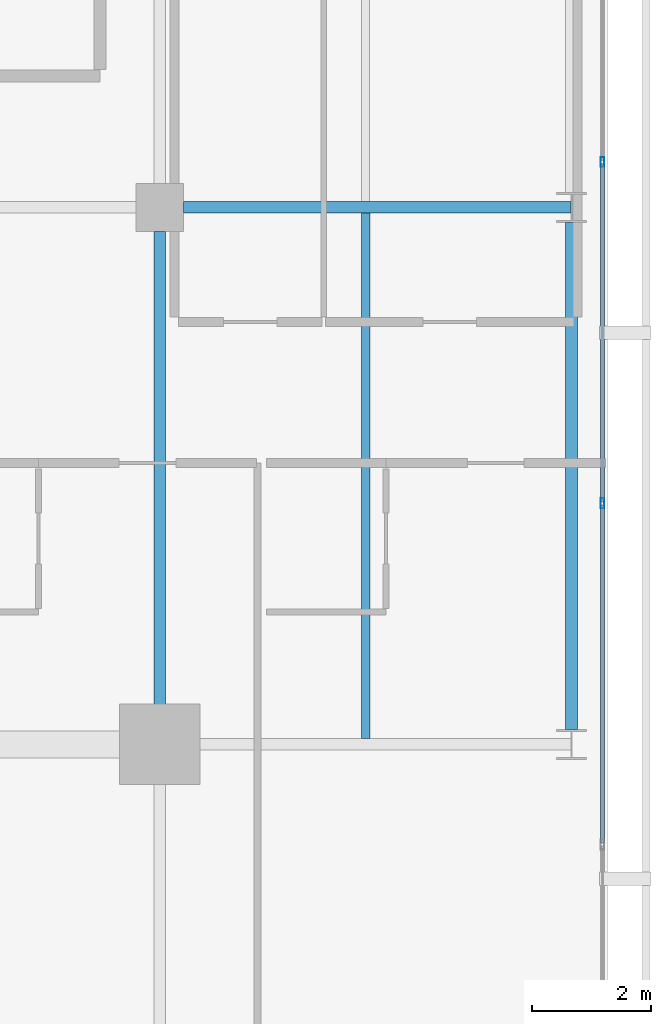
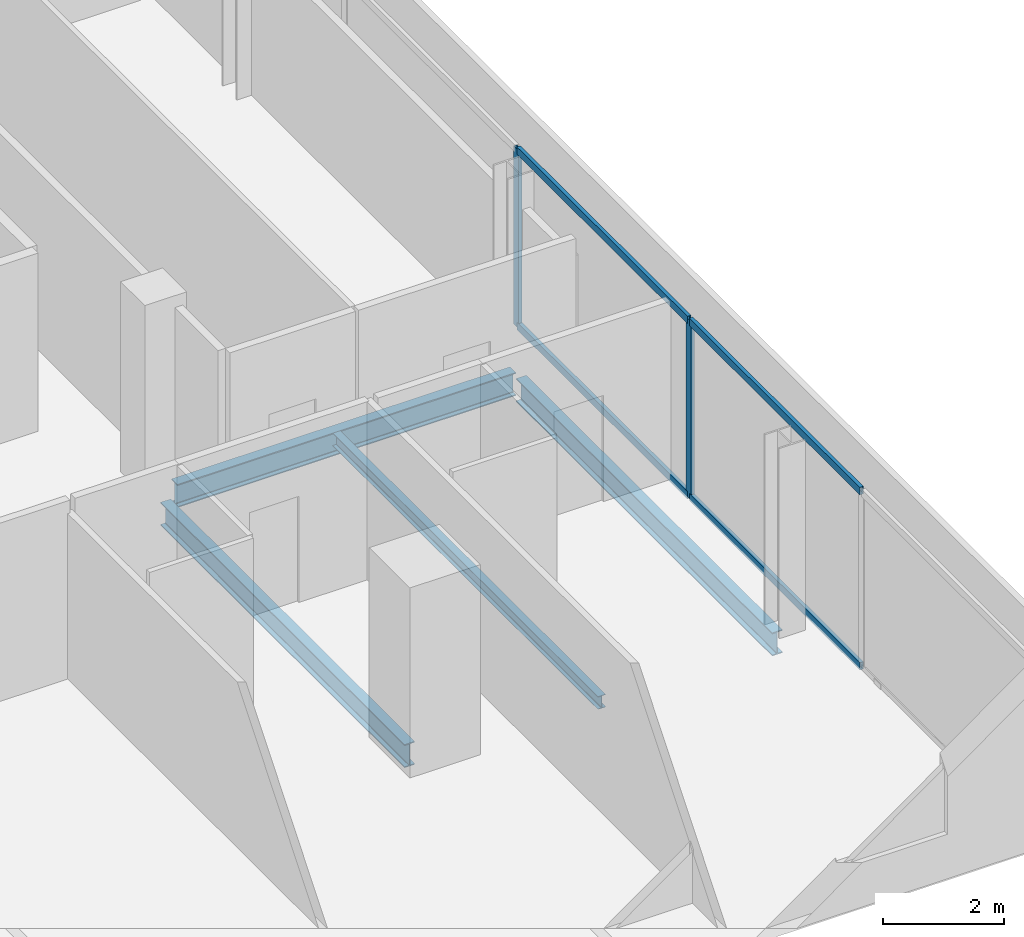
# One storey, part 12 of 24: 6 members, 4 beams, 1 element without a shape of its own.
"""IFC4 building model written with IfcOpenShell, lengths in metres."""

import ifcopenshell
import ifcopenshell.guid

model = None  # the IFC model being written
_history = None  # IfcOwnerHistory: only IFC2X3 demands one
_inside = {}  # id of a spatial element -> (the spatial element, [elements in it])
_under = {}  # id of a project, library or spatial element -> (it, [spatial elements below it])
_declared = {}  # id of a project -> (the project, [libraries it declares])
_typed = {}  # id of a type object -> (the type object, [elements of that type])
_made_of = {}  # id of a material, layer set ... -> (it, [elements and type objects made of it])


def new_model(schema):
    """Start an empty IFC model of exactly this schema.

    Asked for "IFC4X3", IfcOpenShell would pick the latest addendum, in which some entities
    have other attributes; the version numbers below select the first issue.
    IFC2X3 requires an IfcOwnerHistory on every rooted entity: one is made here for all.
    """
    global model, _history
    if schema == "IFC4X3":
        model = ifcopenshell.file(schema_version=(4, 3, 0, 0))
    else:
        model = ifcopenshell.file(schema=schema)
    _inside.clear()
    _under.clear()
    _declared.clear()
    _typed.clear()
    _made_of.clear()
    _history = None
    if model.schema == "IFC2X3":
        org = make("IfcOrganization", Name="unknown")
        user = make(
            "IfcPersonAndOrganization",
            ThePerson=make("IfcPerson", FamilyName="unknown"),
            TheOrganization=org,
        )
        app = make(
            "IfcApplication",
            ApplicationDeveloper=org,
            Version="unknown",
            ApplicationFullName="unknown",
            ApplicationIdentifier="unknown",
        )
        _history = make(
            "IfcOwnerHistory",
            OwningUser=user,
            OwningApplication=app,
            ChangeAction="ADDED",
            CreationDate=0,
        )
    return model


def make(cls, **values):
    """One entity of the class cls with the attributes given. An attribute that is None is left unset."""
    return model.create_entity(
        cls, **{name: value for name, value in values.items() if value is not None}
    )


def rooted(cls, **values):
    """An entity with a GlobalId (a new one), such as an element, a storey or a relation."""
    return make(cls, GlobalId=ifcopenshell.guid.new(), OwnerHistory=_history, **values)


def si_unit(unit_type, name, prefix=None):
    """IfcSIUnit, for example si_unit("LENGTHUNIT", "METRE", prefix="MILLI")."""
    return make("IfcSIUnit", UnitType=unit_type, Prefix=prefix, Name=name)


def assignment(units):
    """IfcUnitAssignment: the units of a project."""
    return None if units is None else make("IfcUnitAssignment", Units=units)


def point(xyz):
    """IfcCartesianPoint."""
    return None if xyz is None else make("IfcCartesianPoint", Coordinates=xyz)


def direction(xyz):
    """IfcDirection."""
    return None if xyz is None else make("IfcDirection", DirectionRatios=xyz)


def frame(location, z_axis=None, x_axis=None):
    """IfcAxis2Placement3D, a coordinate frame: its origin and axes. An axis left out is left unset."""
    return make(
        "IfcAxis2Placement3D",
        Location=point(location),
        Axis=direction(z_axis),
        RefDirection=direction(x_axis),
    )


def frame_2d(location, x_axis=None):
    """IfcAxis2Placement2D, a coordinate frame in the plane: its origin and x axis."""
    return make(
        "IfcAxis2Placement2D", Location=point(location), RefDirection=direction(x_axis)
    )


def origin():
    """The frame at (0, 0, 0) with its axes left unset."""
    return frame((0.0, 0.0, 0.0))


def origin_2d():
    """The frame at (0, 0) in the plane with its x axis left unset."""
    return frame_2d((0.0, 0.0))


def place(relative_to, where):
    """IfcLocalPlacement: puts the frame where relative to a parent placement (None: the world)."""
    return make(
        "IfcLocalPlacement", PlacementRelTo=relative_to, RelativePlacement=where
    )


def context(
    kind, dimensions, precision=None, world=None, true_north=None, identifier=None
):
    """IfcGeometricRepresentationContext, for example the 3D "Model" context."""
    return make(
        "IfcGeometricRepresentationContext",
        ContextIdentifier=identifier,
        ContextType=kind,
        CoordinateSpaceDimension=dimensions,
        Precision=precision,
        WorldCoordinateSystem=world,
        TrueNorth=true_north,
    )


def subcontext(parent, identifier, kind, view, scale=None):
    """IfcGeometricRepresentationSubContext, for example "Body" below "Model"."""
    return make(
        "IfcGeometricRepresentationSubContext",
        ContextIdentifier=identifier,
        ContextType=kind,
        ParentContext=parent,
        TargetScale=scale,
        TargetView=view,
    )


def project(units=None, contexts=None):
    """IfcProject with its units and contexts."""
    return rooted(
        "IfcProject",
        Name="project",
        RepresentationContexts=contexts,
        UnitsInContext=assignment(units),
    )


def spatial(cls, under=None, at=None, **own):
    """A site, building, storey or space (cls), placed at a placement, below another one or the project."""
    s = rooted(cls, ObjectPlacement=at, **own)
    if under is not None:
        _under.setdefault(under.id(), (under, []))[1].append(s)
    return s


def profile(cls, at=None, kind="AREA", **sizes):
    """A parametric profile (cls). Its sizes go by their IFC names, for example OverallWidth=200.0."""
    return make(cls, ProfileType=kind, Position=at, **sizes)


def hollow_rectangle(**sizes):
    """IfcRectangleHollowProfileDef."""
    return profile("IfcRectangleHollowProfileDef", **sizes)


def i_section(**sizes):
    """IfcIShapeProfileDef."""
    return profile("IfcIShapeProfileDef", **sizes)


def extrude(swept, where, along, depth):
    """IfcExtrudedAreaSolid: the profile swept, set in the frame where, extruded along a direction by depth."""
    return make(
        "IfcExtrudedAreaSolid",
        SweptArea=swept,
        Position=where,
        ExtrudedDirection=direction(along),
        Depth=depth,
    )


def shape(context_of_items, identifier, shape_type, items):
    """IfcShapeRepresentation: the items that make up one representation, for example the "Body"."""
    return make(
        "IfcShapeRepresentation",
        ContextOfItems=context_of_items,
        RepresentationIdentifier=identifier,
        RepresentationType=shape_type,
        Items=items,
    )


def material(Name=None, Category=None):
    """IfcMaterial."""
    return make("IfcMaterial", Name=Name, Category=Category)


def layer(
    of_material, thickness, ventilated=None, Name=None, Category=None, Priority=None
):
    """IfcMaterialLayer: one layer of a wall or slab, of a material (None: an air gap)."""
    return make(
        "IfcMaterialLayer",
        Material=of_material,
        LayerThickness=thickness,
        IsVentilated=ventilated,
        Name=Name,
        Category=Category,
        Priority=Priority,
    )


def layer_set(layers, Name=None):
    """IfcMaterialLayerSet."""
    return make("IfcMaterialLayerSet", MaterialLayers=layers, LayerSetName=Name)


def material_profile(
    of_material, cross_section, Name=None, Category=None, Priority=None
):
    """IfcMaterialProfile: a cross section and its material."""
    return make(
        "IfcMaterialProfile",
        Name=Name,
        Material=of_material,
        Profile=cross_section,
        Priority=Priority,
        Category=Category,
    )


def profile_set(profiles, Name=None, composite=None):
    """IfcMaterialProfileSet."""
    return make(
        "IfcMaterialProfileSet",
        Name=Name,
        MaterialProfiles=profiles,
        CompositeProfile=composite,
    )


def made_of(thing, what):
    """Note that an element or type object is made of a material, layer set ...; save() writes the relation."""
    if what is not None:
        _made_of.setdefault(what.id(), (what, []))[1].append(thing)
    return thing


def type_object(cls, material=None, **own):
    """A type object (cls), such as IfcWallType, which elements share."""
    return made_of(rooted(cls, **own), material)


def element(
    cls,
    number,
    at=None,
    inside=None,
    cuts=None,
    type_object=None,
    material=None,
    context=None,
    identifier="Body",
    shape_type=None,
    held_by="IfcProductDefinitionShape",
    body=None,
    shapes=None,
    **own,
):
    """One element of the class cls, such as IfcWall. Its Tag is "e" and its number.

    at: its placement. inside: the storey or other place that contains it. cuts: it is an
    opening in that element (IfcRelVoidsElement). A single representation is given by context,
    identifier, shape_type and body (its items); several are given by shapes. held_by: the class
    of the entity that holds the representations. save() writes the other relations.
    """
    e = rooted(cls, Tag="e%d" % number, ObjectPlacement=at, **own)
    if body is not None:
        shapes = [shape(context, identifier, shape_type, body)]
    if shapes is not None:
        e.Representation = make(held_by, Representations=shapes)
    if inside is not None:
        _inside.setdefault(inside.id(), (inside, []))[1].append(e)
    if cuts is not None:
        rooted(
            "IfcRelVoidsElement", RelatingBuildingElement=cuts, RelatedOpeningElement=e
        )
    if type_object is not None:
        _typed.setdefault(type_object.id(), (type_object, []))[1].append(e)
    return made_of(e, material)


def aggregate(whole, parts):
    """IfcRelAggregates: a whole, such as a stair, and the parts it consists of."""
    return rooted("IfcRelAggregates", RelatingObject=whole, RelatedObjects=parts)


def save(model, path):
    """Write the relations noted so far, then the file.

    IfcRelAggregates (storeys below a building ...), IfcRelContainedInSpatialStructure (elements
    in a storey), IfcRelDefinesByType, IfcRelAssociatesMaterial and IfcRelDeclares: one each for
    every whole, place, type object, material and project.
    """
    for whole, parts in _under.values():
        aggregate(whole, parts)
    for where, things in _inside.values():
        rooted(
            "IfcRelContainedInSpatialStructure",
            RelatedElements=things,
            RelatingStructure=where,
        )
    for kind, things in _typed.values():
        rooted("IfcRelDefinesByType", RelatedObjects=things, RelatingType=kind)
    for what, things in _made_of.values():
        rooted("IfcRelAssociatesMaterial", RelatedObjects=things, RelatingMaterial=what)
    for by, libraries in _declared.values():
        rooted("IfcRelDeclares", RelatingContext=by, RelatedDefinitions=libraries)
    model.write(path)


model = new_model("IFC4")

# Units and contexts
model_context = context("Model", 3, precision=1e-05, world=origin(), true_north=direction((0.0, 1.0)))
body_context = subcontext(model_context, "Body", "Model", "MODEL_VIEW")
ifc_project = project(units=[si_unit("LENGTHUNIT", "METRE"), si_unit("AREAUNIT", "SQUARE_METRE"), si_unit("VOLUMEUNIT", "CUBIC_METRE"), si_unit("PLANEANGLEUNIT", "RADIAN"), si_unit("MASSUNIT", "GRAM", prefix="KILO")], contexts=[model_context])

# Site, building, storey
site_placement = place(None, origin())
site = spatial("IfcSite", under=ifc_project, at=site_placement, CompositionType="ELEMENT")
building_placement = place(site_placement, origin())
building = spatial("IfcBuilding", under=site, at=building_placement, Name="Maruvema Waterfront Hotel and Observation Tower", CompositionType="ELEMENT")
storey_placement = place(building_placement, frame((0.0, 0.0, 329.699951171875)))
storey = spatial("IfcBuildingStorey", under=building, at=storey_placement, Name="L81", CompositionType="ELEMENT", Elevation=329.699951171875)

# Curtain wall, members
ifc_material_1 = material(Name="Anodised bronze aluminium and solar-control low-E IGU", Category="aluminium")
ifc_layer = layer(ifc_material_1, 0.159912109375, Name="Zone 4 Sky Residence Inner Curtain Wall System CW-05")
ifc_layer_set = layer_set([ifc_layer], Name="Anodised bronze aluminium and solar-control low-E IGU")
curtain_wall_type = type_object("IfcCurtainWallType", Name="Zone 4 Sky Residence Inner Curtain Wall System CW-05", PredefinedType="USERDEFINED", material=ifc_layer_set)
curtain_wall_placement = place(storey_placement, origin())
curtain_wall = element("IfcCurtainWall", 1, at=curtain_wall_placement, inside=storey, type_object=curtain_wall_type, Name="L81 Curtain Wall CW-L81-E", ObjectType="UNITISED CURTAIN WALL", PredefinedType="USERDEFINED")
ifc_material_2 = material(Name="Anodised architectural bronze aluminium", Category="aluminium")
ifc_material_profile_1 = material_profile(ifc_material_2, hollow_rectangle(XDim=0.070068359375, YDim=0.14990234375, WallThickness=0.00390625, at=origin_2d()), Name="ALU-T70x150")
ifc_profile_set_1 = profile_set([ifc_material_profile_1], Name="Anodised architectural bronze aluminium")
member_type_1 = type_object("IfcMemberType", Name="Curtain Wall Horizontal Transom ALU-T70x150", PredefinedType="USERDEFINED", material=ifc_profile_set_1)
member_1_placement = place(storey_placement, frame((57.820068359375, 25.35009765625, 0.030029296875), z_axis=(0.0, 1.0, 0.0), x_axis=(-1.0, 0.0, 0.0)))
member_1 = element("IfcMember", 2, at=member_1_placement, type_object=member_type_1, Name="CW-05 transom 2.1", ObjectType="TRANSOM", PredefinedType="USERDEFINED", context=body_context, shape_type="SweptSolid", body=[
    extrude(hollow_rectangle(XDim=0.070068359375, YDim=0.14990234375, WallThickness=0.00390625, at=origin_2d()), origin(), (0.0, 0.0, 1.0), 5.659912109375),
])
member_2_placement = place(storey_placement, frame((57.820068359375, 25.35009765625, 3.580078125), z_axis=(0.0, 1.0, 0.0), x_axis=(-1.0, 0.0, 0.0)))
member_2 = element("IfcMember", 3, at=member_2_placement, type_object=member_type_1, Name="CW-05 transom 2.2", ObjectType="TRANSOM", PredefinedType="USERDEFINED", context=body_context, shape_type="SweptSolid", body=[
    extrude(hollow_rectangle(XDim=0.070068359375, YDim=0.14990234375, WallThickness=0.00390625, at=origin_2d()), origin(), (0.0, 0.0, 1.0), 5.659912109375),
])
member_3_placement = place(storey_placement, frame((57.820068359375, 31.070068359375, 0.030029296875), z_axis=(0.0, 1.0, 0.0), x_axis=(-1.0, 0.0, 0.0)))
member_3 = element("IfcMember", 4, at=member_3_placement, type_object=member_type_1, Name="CW-05 transom 3.1", ObjectType="TRANSOM", PredefinedType="USERDEFINED", context=body_context, shape_type="SweptSolid", body=[
    extrude(hollow_rectangle(XDim=0.070068359375, YDim=0.14990234375, WallThickness=0.00390625, at=origin_2d()), origin(), (0.0, 0.0, 1.0), 5.659912109375),
])
member_4_placement = place(storey_placement, frame((57.820068359375, 31.070068359375, 3.580078125), z_axis=(0.0, 1.0, 0.0), x_axis=(-1.0, 0.0, 0.0)))
member_4 = element("IfcMember", 5, at=member_4_placement, type_object=member_type_1, Name="CW-05 transom 3.2", ObjectType="TRANSOM", PredefinedType="USERDEFINED", context=body_context, shape_type="SweptSolid", body=[
    extrude(hollow_rectangle(XDim=0.070068359375, YDim=0.14990234375, WallThickness=0.00390625, at=origin_2d()), origin(), (0.0, 0.0, 1.0), 5.659912109375),
])
ifc_material_3 = material(Name="Anodised architectural bronze aluminium", Category="aluminium")
ifc_material_profile_2 = material_profile(ifc_material_3, hollow_rectangle(XDim=0.06494140625, YDim=0.1650390625, WallThickness=0.00390625, at=origin_2d()), Name="ALU-M65x165")
ifc_profile_set_2 = profile_set([ifc_material_profile_2], Name="Anodised architectural bronze aluminium")
member_type_2 = type_object("IfcMemberType", Name="Curtain Wall Primary Mullion ALU-M65x165", PredefinedType="MULLION", material=ifc_profile_set_2)
member_5_placement = place(storey_placement, frame((57.820068359375, 31.0400390625, 0.0), z_axis=(0.0, 0.0, 1.0), x_axis=(-1.0, 0.0, 0.0)))
member_5 = element("IfcMember", 6, at=member_5_placement, type_object=member_type_2, Name="CW-05 mullion 3", PredefinedType="MULLION", context=body_context, shape_type="SweptSolid", body=[
    extrude(hollow_rectangle(XDim=0.06494140625, YDim=0.1650390625, WallThickness=0.00390625, at=origin_2d()), origin(), (0.0, 0.0, 1.0), 3.610107421875),
])
member_6_placement = place(storey_placement, frame((57.820068359375, 36.760009765625, 0.0), z_axis=(0.0, 0.0, 1.0), x_axis=(-1.0, 0.0, 0.0)))
member_6 = element("IfcMember", 7, at=member_6_placement, type_object=member_type_2, Name="CW-05 mullion 4", PredefinedType="MULLION", context=body_context, shape_type="SweptSolid", body=[
    extrude(hollow_rectangle(XDim=0.06494140625, YDim=0.1650390625, WallThickness=0.00390625, at=origin_2d()), origin(), (0.0, 0.0, 1.0), 3.610107421875),
])
aggregate(curtain_wall, [member_5, member_6, member_1, member_2, member_3, member_4])

# Beams
ifc_material_4 = material(Name="Steel ASTM A572 Grade 50", Category="steel")
ifc_material_profile_3 = material_profile(ifc_material_4, i_section(OverallWidth=0.194091796875, OverallDepth=0.468994140625, WebThickness=0.0126953125, FlangeThickness=0.0205078125, FilletRadius=0.014892578125, at=origin_2d()), Name="W460x106.0")
ifc_profile_set_3 = profile_set([ifc_material_profile_3], Name="Steel ASTM A572 Grade 50")
beam_type_1 = type_object("IfcBeamType", Name="Primary Floor Girder W460x106.0", PredefinedType="BEAM", material=ifc_profile_set_3)
beam_1_placement = place(storey_placement, frame((50.800048828125, 36.0, -0.474365234375), z_axis=(1.0, 0.0, 0.0), x_axis=(0.0, 1.0, 0.0)))
element("IfcBeam", 8, at=beam_1_placement, inside=storey, type_object=beam_type_1, Name="L81 Floor Girder EW-14", PredefinedType="BEAM", context=body_context, shape_type="SweptSolid", body=[
    extrude(i_section(OverallWidth=0.194091796875, OverallDepth=0.468994140625, WebThickness=0.0126953125, FlangeThickness=0.0205078125, FilletRadius=0.014892578125, at=origin_2d()), origin(), (0.0, 0.0, 1.0), 6.489013671875),
])
beam_2_placement = place(storey_placement, frame((50.39990234375, 27.5, -0.474365234375), z_axis=(0.0, 1.0, 0.0), x_axis=(-1.0, 0.0, 0.0)))
element("IfcBeam", 9, at=beam_2_placement, inside=storey, type_object=beam_type_1, Name="L81 Floor Girder NS-13", PredefinedType="BEAM", context=body_context, shape_type="SweptSolid", body=[
    extrude(i_section(OverallWidth=0.194091796875, OverallDepth=0.468994140625, WebThickness=0.0126953125, FlangeThickness=0.0205078125, FilletRadius=0.014892578125, at=origin_2d()), origin(), (0.0, 0.0, 1.0), 8.10009765625),
])
beam_3_placement = place(storey_placement, frame((57.300048828125, 27.25, -0.474365234375), z_axis=(0.0, 1.0, 0.0), x_axis=(-1.0, 0.0, 0.0)))
element("IfcBeam", 10, at=beam_3_placement, inside=storey, type_object=beam_type_1, Name="L81 Floor Girder NS-15", PredefinedType="BEAM", context=body_context, shape_type="SweptSolid", body=[
    extrude(i_section(OverallWidth=0.194091796875, OverallDepth=0.468994140625, WebThickness=0.0126953125, FlangeThickness=0.0205078125, FilletRadius=0.014892578125, at=origin_2d()), origin(), (0.0, 0.0, 1.0), 8.5),
])
ifc_material_5 = material(Name="Steel ASTM A572 Grade 50", Category="steel")
ifc_material_profile_4 = material_profile(ifc_material_5, i_section(OverallWidth=0.14599609375, OverallDepth=0.258056640625, WebThickness=0.006103515625, FlangeThickness=0.009033203125, FilletRadius=0.012939453125, at=origin_2d()), Name="W250x32.7")
ifc_profile_set_4 = profile_set([ifc_material_profile_4], Name="Steel ASTM A572 Grade 50")
beam_type_2 = type_object("IfcBeamType", Name="Secondary Floor Joist W250x32.7", PredefinedType="JOIST", material=ifc_profile_set_4)
beam_4_placement = place(storey_placement, frame((53.85009765625, 27.096923828125, -0.368896484375), z_axis=(0.0, 1.0, 0.0), x_axis=(-1.0, 0.0, 0.0)))
element("IfcBeam", 11, at=beam_4_placement, inside=storey, type_object=beam_type_2, Name="L81 Secondary Floor Joist JS-06", PredefinedType="JOIST", context=body_context, shape_type="SweptSolid", body=[
    extrude(i_section(OverallWidth=0.14599609375, OverallDepth=0.258056640625, WebThickness=0.006103515625, FlangeThickness=0.009033203125, FilletRadius=0.012939453125, at=origin_2d()), origin(), (0.0, 0.0, 1.0), 8.80615234375),
])

save(model, "model.ifc")
